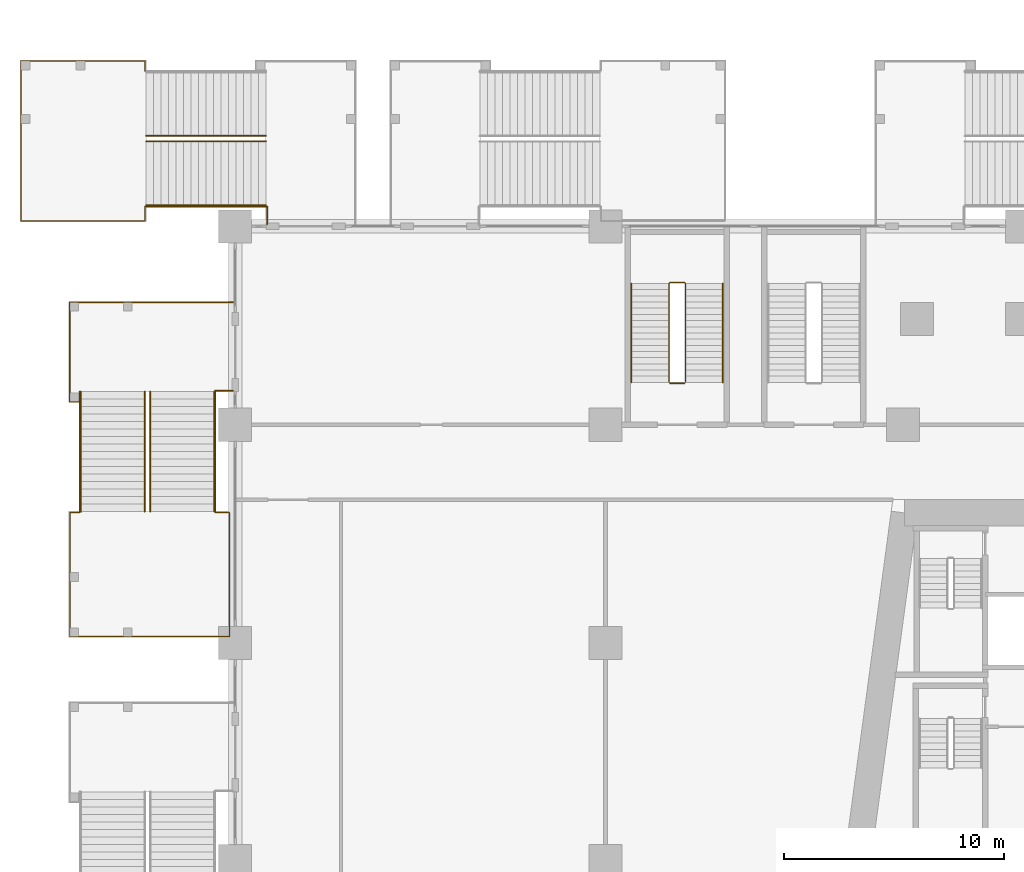
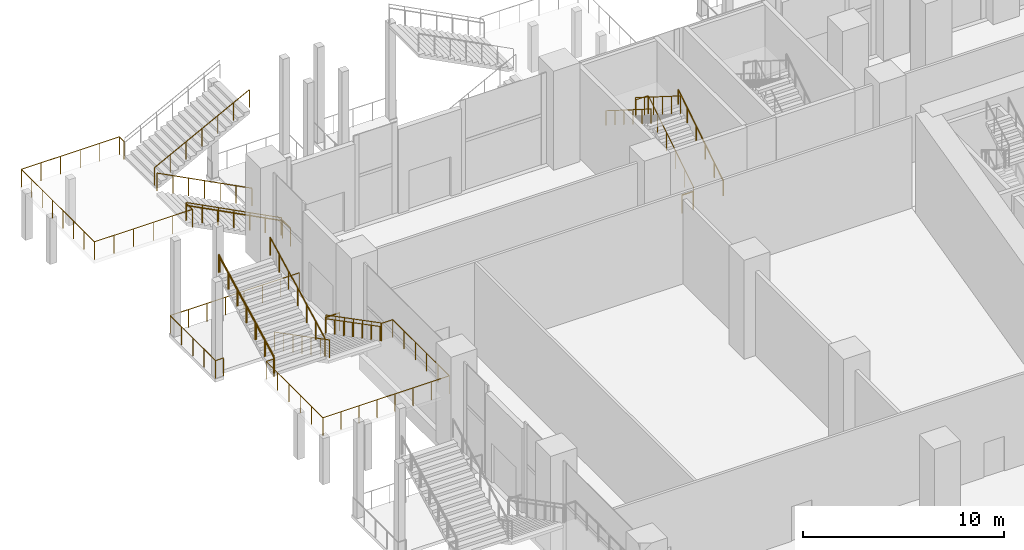
# One storey, part 39 of 47: 19 railings.
"""IFC4 building model written with IfcOpenShell, lengths in metres."""

from ifc_helpers import new_model, si_unit, direction, frame, origin, origin_2d, place, context, subcontext, project, spatial, circle, extrude, material, type_object, element, save


model = new_model("IFC4")

# Units and contexts
model_context = context("Model", 3, precision=1e-05, world=origin(), true_north=direction((0.0, 1.0)))
body_context = subcontext(model_context, "Body", "Model", "MODEL_VIEW")
ifc_project = project(units=[si_unit("LENGTHUNIT", "METRE"), si_unit("AREAUNIT", "SQUARE_METRE"), si_unit("VOLUMEUNIT", "CUBIC_METRE"), si_unit("PLANEANGLEUNIT", "RADIAN"), si_unit("MASSUNIT", "GRAM", prefix="KILO")], contexts=[model_context])

# Site, building, storey
site_placement = place(None, origin())
site = spatial("IfcSite", under=ifc_project, at=site_placement, CompositionType="ELEMENT")
building_placement = place(site_placement, origin())
building = spatial("IfcBuilding", under=site, at=building_placement, Name="Candeia Pilgrim Tower and Theatre", CompositionType="ELEMENT")
storey_placement = place(building_placement, frame((0.0, 0.0, 23.0)))
storey = spatial("IfcBuildingStorey", under=building, at=storey_placement, Name="L03", CompositionType="ELEMENT", Elevation=23.0)

# Railings
ifc_material_1 = material(Name="Stainless steel balustrade", Category="steel")
railing_type_1 = type_object("IfcRailingType", Name="RL-GUARD-1100", PredefinedType="GUARDRAIL", material=ifc_material_1)
railing_1_placement = place(storey_placement, frame((79.22509765625, 137.72509765625, 0.176513671875)))
element("IfcRailing", 1, at=railing_1_placement, inside=storey, type_object=railing_type_1, Name="L03 PS1 stair guard 1", PredefinedType="GUARDRAIL", context=body_context, shape_type="SweptSolid", body=[
    extrude(circle(Radius=0.02392578125, at=origin_2d()), frame((0.0, 0.0, 1.076171875), z_axis=(0.0, 0.845997938375, 0.533186166611), x_axis=(-1.0, 0.0, 0.0)), (0.0, 0.0, 1.0), 5.29541015625),
    extrude(circle(Radius=0.02392578125, at=origin_2d()), frame((0.0, 4.47998046875, 3.8994140625), z_axis=(-0.708833529934, 0.705375805398, 0.0), x_axis=(-0.705375805398, -0.708833529934, 0.0)), (0.0, 0.0, 1.0), 0.070556640625),
    extrude(circle(Radius=0.02392578125, at=origin_2d()), frame((-0.050048828125, 4.52978515625, 3.8994140625), z_axis=(-1.0, 0.0, 0.0), x_axis=(0.0, -1.0, 0.0)), (0.0, 0.0, 1.0), 0.650146484375),
    extrude(circle(Radius=0.02392578125, at=origin_2d()), frame((-0.7001953125, 4.52978515625, 3.8994140625), z_axis=(-0.262064280622, -0.262064280622, 0.928786641616), x_axis=(0.707106781187, -0.707106781187, 0.0)), (0.0, 0.0, 1.0), 0.18994140625),
    extrude(circle(Radius=0.02392578125, at=origin_2d()), frame((-0.75, 4.47998046875, 4.076171875), z_axis=(0.0, -0.845997938375, 0.533186166611), x_axis=(1.0, 0.0, 0.0)), (0.0, 0.0, 1.0), 5.29541015625),
    extrude(circle(Radius=0.02099609375, at=origin_2d()), origin(), (0.0, 0.0, 1.0), 1.052001953125),
    extrude(circle(Radius=0.02099609375, at=origin_2d()), frame((0.0, 0.89599609375, 0.564697265625)), (0.0, 0.0, 1.0), 1.052001953125),
    extrude(circle(Radius=0.02099609375, at=origin_2d()), frame((0.0, 1.7919921875, 1.12939453125)), (0.0, 0.0, 1.0), 1.052001953125),
    extrude(circle(Radius=0.02099609375, at=origin_2d()), frame((0.0, 2.68798828125, 1.694091796875)), (0.0, 0.0, 1.0), 1.052001953125),
    extrude(circle(Radius=0.02099609375, at=origin_2d()), frame((0.0, 3.583984375, 2.2587890625)), (0.0, 0.0, 1.0), 1.052001953125),
    extrude(circle(Radius=0.02099609375, at=origin_2d()), frame((0.0, 4.47998046875, 2.823486328125)), (0.0, 0.0, 1.0), 1.052001953125),
    extrude(circle(Radius=0.02099609375, at=origin_2d()), frame((-0.050048828125, 4.52978515625, 2.823486328125)), (0.0, 0.0, 1.0), 1.052001953125),
    extrude(circle(Radius=0.02099609375, at=origin_2d()), frame((-0.7001953125, 4.52978515625, 2.823486328125)), (0.0, 0.0, 1.0), 1.052001953125),
    extrude(circle(Radius=0.02099609375, at=origin_2d()), frame((-0.75, 4.47998046875, 3.0)), (0.0, 0.0, 1.0), 1.052001953125),
    extrude(circle(Radius=0.02099609375, at=origin_2d()), frame((-0.75, 3.583984375, 3.564697265625)), (0.0, 0.0, 1.0), 1.052001953125),
    extrude(circle(Radius=0.02099609375, at=origin_2d()), frame((-0.75, 2.68798828125, 4.12939453125)), (0.0, 0.0, 1.0), 1.052001953125),
    extrude(circle(Radius=0.02099609375, at=origin_2d()), frame((-0.75, 1.7919921875, 4.694091796875)), (0.0, 0.0, 1.0), 1.052001953125),
    extrude(circle(Radius=0.02099609375, at=origin_2d()), frame((-0.75, 0.89599609375, 5.2587890625)), (0.0, 0.0, 1.0), 1.052001953125),
    extrude(circle(Radius=0.02099609375, at=origin_2d()), frame((-0.75, 0.0, 5.823486328125)), (0.0, 0.0, 1.0), 1.052001953125),
])
railing_2_placement = place(storey_placement, frame((79.175048828125, 137.675048828125, 0.0)))
element("IfcRailing", 2, at=railing_2_placement, inside=storey, type_object=railing_type_1, Name="L03 PS1 stair guard 2", PredefinedType="GUARDRAIL", context=body_context, shape_type="SweptSolid", body=[
    extrude(circle(Radius=0.02392578125, at=origin_2d()), frame((0.0, 0.0, 1.076171875), z_axis=(-1.0, 0.0, 0.0), x_axis=(0.0, -1.0, 0.0)), (0.0, 0.0, 1.0), 0.650146484375),
    extrude(circle(Radius=0.02099609375, at=origin_2d()), origin(), (0.0, 0.0, 1.0), 1.052001953125),
    extrude(circle(Radius=0.02099609375, at=origin_2d()), frame((-0.650146484375, 0.0, 0.0)), (0.0, 0.0, 1.0), 1.052001953125),
])
railing_3_placement = place(storey_placement, frame((60.199951171875, 148.64990234375, 0.176513671875)))
element("IfcRailing", 3, at=railing_3_placement, inside=storey, type_object=railing_type_1, Name="L03 ES3 stair guard 1", PredefinedType="GUARDRAIL", context=body_context, shape_type="SweptSolid", body=[
    extrude(circle(Radius=0.02392578125, at=origin_2d()), frame((0.0, 0.0, 1.076171875), z_axis=(-0.887569374008, 0.0, 0.460674078198), x_axis=(0.0, -1.0, 0.0)), (0.0, 0.0, 1.0), 6.129150390625),
    extrude(circle(Radius=0.02099609375, at=origin_2d()), origin(), (0.0, 0.0, 1.0), 1.052001953125),
    extrude(circle(Radius=0.02099609375, at=origin_2d()), frame((-0.90673828125, 0.0, 0.470703125)), (0.0, 0.0, 1.0), 1.052001953125),
    extrude(circle(Radius=0.02099609375, at=origin_2d()), frame((-1.813232421875, 0.0, 0.941162109375)), (0.0, 0.0, 1.0), 1.052001953125),
    extrude(circle(Radius=0.02099609375, at=origin_2d()), frame((-2.719970703125, 0.0, 1.41162109375)), (0.0, 0.0, 1.0), 1.052001953125),
    extrude(circle(Radius=0.02099609375, at=origin_2d()), frame((-3.626708984375, 0.0, 1.88232421875)), (0.0, 0.0, 1.0), 1.052001953125),
    extrude(circle(Radius=0.02099609375, at=origin_2d()), frame((-4.533203125, 0.0, 2.35302734375)), (0.0, 0.0, 1.0), 1.052001953125),
    extrude(circle(Radius=0.02099609375, at=origin_2d()), frame((-5.43994140625, 0.0, 2.823486328125)), (0.0, 0.0, 1.0), 1.052001953125),
])
railing_4_placement = place(storey_placement, frame((54.760009765625, 148.89990234375, 3.176513671875)))
element("IfcRailing", 4, at=railing_4_placement, inside=storey, type_object=railing_type_1, Name="L03 ES3 stair guard 2", PredefinedType="GUARDRAIL", context=body_context, shape_type="SweptSolid", body=[
    extrude(circle(Radius=0.02392578125, at=origin_2d()), frame((0.0, 0.0, 1.076171875), z_axis=(0.887569374008, 0.0, 0.460674078198), x_axis=(0.0, 1.0, 0.0)), (0.0, 0.0, 1.0), 6.129150390625),
    extrude(circle(Radius=0.02099609375, at=origin_2d()), origin(), (0.0, 0.0, 1.0), 1.052001953125),
    extrude(circle(Radius=0.02099609375, at=origin_2d()), frame((0.90673828125, 0.0, 0.470703125)), (0.0, 0.0, 1.0), 1.052001953125),
    extrude(circle(Radius=0.02099609375, at=origin_2d()), frame((1.813232421875, 0.0, 0.941162109375)), (0.0, 0.0, 1.0), 1.052001953125),
    extrude(circle(Radius=0.02099609375, at=origin_2d()), frame((2.719970703125, 0.0, 1.41162109375)), (0.0, 0.0, 1.0), 1.052001953125),
    extrude(circle(Radius=0.02099609375, at=origin_2d()), frame((3.626708984375, 0.0, 1.88232421875)), (0.0, 0.0, 1.0), 1.052001953125),
    extrude(circle(Radius=0.02099609375, at=origin_2d()), frame((4.533203125, 0.0, 2.35302734375)), (0.0, 0.0, 1.0), 1.052001953125),
    extrude(circle(Radius=0.02099609375, at=origin_2d()), frame((5.43994140625, 0.0, 2.823486328125)), (0.0, 0.0, 1.0), 1.052001953125),
])
railing_5_placement = place(storey_placement, frame((60.199951171875, 145.699951171875, 0.176513671875)))
element("IfcRailing", 5, at=railing_5_placement, inside=storey, type_object=railing_type_1, Name="L03 ES3 stair guard 3", PredefinedType="GUARDRAIL", context=body_context, shape_type="SweptSolid", body=[
    extrude(circle(Radius=0.02392578125, at=origin_2d()), frame((0.0, 0.0, 1.076171875), z_axis=(-0.887569374008, 0.0, 0.460674078198), x_axis=(0.0, -1.0, 0.0)), (0.0, 0.0, 1.0), 6.129150390625),
    extrude(circle(Radius=0.02099609375, at=origin_2d()), origin(), (0.0, 0.0, 1.0), 1.052001953125),
    extrude(circle(Radius=0.02099609375, at=origin_2d()), frame((-0.90673828125, 0.0, 0.470703125)), (0.0, 0.0, 1.0), 1.052001953125),
    extrude(circle(Radius=0.02099609375, at=origin_2d()), frame((-1.813232421875, 0.0, 0.941162109375)), (0.0, 0.0, 1.0), 1.052001953125),
    extrude(circle(Radius=0.02099609375, at=origin_2d()), frame((-2.719970703125, 0.0, 1.41162109375)), (0.0, 0.0, 1.0), 1.052001953125),
    extrude(circle(Radius=0.02099609375, at=origin_2d()), frame((-3.626708984375, 0.0, 1.88232421875)), (0.0, 0.0, 1.0), 1.052001953125),
    extrude(circle(Radius=0.02099609375, at=origin_2d()), frame((-4.533203125, 0.0, 2.35302734375)), (0.0, 0.0, 1.0), 1.052001953125),
    extrude(circle(Radius=0.02099609375, at=origin_2d()), frame((-5.43994140625, 0.0, 2.823486328125)), (0.0, 0.0, 1.0), 1.052001953125),
])
railing_6_placement = place(storey_placement, frame((54.7099609375, 145.699951171875, 3.0)))
element("IfcRailing", 6, at=railing_6_placement, inside=storey, type_object=railing_type_1, Name="L03 ES3 stair guard 5", PredefinedType="GUARDRAIL", context=body_context, shape_type="SweptSolid", body=[
    extrude(circle(Radius=0.02392578125, at=origin_2d()), frame((0.0, 0.0, 1.076171875), z_axis=(0.0, -1.0, 0.0), x_axis=(1.0, 0.0, 0.0)), (0.0, 0.0, 1.0), 0.64990234375),
    extrude(circle(Radius=0.02392578125, at=origin_2d()), frame((0.0, -0.64990234375, 1.076171875), z_axis=(-1.0, 0.0, 0.0), x_axis=(0.0, -1.0, 0.0)), (0.0, 0.0, 1.0), 5.619873046875),
    extrude(circle(Radius=0.02392578125, at=origin_2d()), frame((-5.619873046875, -0.64990234375, 1.076171875), z_axis=(0.0, 1.0, 0.0), x_axis=(-1.0, 0.0, 0.0)), (0.0, 0.0, 1.0), 7.25),
    extrude(circle(Radius=0.02392578125, at=origin_2d()), frame((-5.619873046875, 6.60009765625, 1.076171875), z_axis=(1.0, 0.0, 0.0), x_axis=(0.0, 1.0, 0.0)), (0.0, 0.0, 1.0), 5.619873046875),
    extrude(circle(Radius=0.02392578125, at=origin_2d()), frame((0.0, 6.60009765625, 1.076171875), z_axis=(0.0, -1.0, 0.0), x_axis=(1.0, 0.0, 0.0)), (0.0, 0.0, 1.0), 0.449951171875),
    extrude(circle(Radius=0.02099609375, at=origin_2d()), origin(), (0.0, 0.0, 1.0), 1.052001953125),
    extrude(circle(Radius=0.02099609375, at=origin_2d()), frame((0.0, -0.64990234375, 0.0)), (0.0, 0.0, 1.0), 1.052001953125),
    extrude(circle(Radius=0.02099609375, at=origin_2d()), frame((-1.1240234375, -0.64990234375, 0.0)), (0.0, 0.0, 1.0), 1.052001953125),
    extrude(circle(Radius=0.02099609375, at=origin_2d()), frame((-2.248046875, -0.64990234375, 0.0)), (0.0, 0.0, 1.0), 1.052001953125),
    extrude(circle(Radius=0.02099609375, at=origin_2d()), frame((-3.371826171875, -0.64990234375, 0.0)), (0.0, 0.0, 1.0), 1.052001953125),
    extrude(circle(Radius=0.02099609375, at=origin_2d()), frame((-4.495849609375, -0.64990234375, 0.0)), (0.0, 0.0, 1.0), 1.052001953125),
    extrude(circle(Radius=0.02099609375, at=origin_2d()), frame((-5.619873046875, -0.64990234375, 0.0)), (0.0, 0.0, 1.0), 1.052001953125),
    extrude(circle(Radius=0.02099609375, at=origin_2d()), frame((-5.619873046875, 0.3857421875, 0.0)), (0.0, 0.0, 1.0), 1.052001953125),
    extrude(circle(Radius=0.02099609375, at=origin_2d()), frame((-5.619873046875, 1.421630859375, 0.0)), (0.0, 0.0, 1.0), 1.052001953125),
    extrude(circle(Radius=0.02099609375, at=origin_2d()), frame((-5.619873046875, 2.457275390625, 0.0)), (0.0, 0.0, 1.0), 1.052001953125),
    extrude(circle(Radius=0.02099609375, at=origin_2d()), frame((-5.619873046875, 3.492919921875, 0.0)), (0.0, 0.0, 1.0), 1.052001953125),
    extrude(circle(Radius=0.02099609375, at=origin_2d()), frame((-5.619873046875, 4.528564453125, 0.0)), (0.0, 0.0, 1.0), 1.052001953125),
    extrude(circle(Radius=0.02099609375, at=origin_2d()), frame((-5.619873046875, 5.564453125, 0.0)), (0.0, 0.0, 1.0), 1.052001953125),
    extrude(circle(Radius=0.02099609375, at=origin_2d()), frame((-5.619873046875, 6.60009765625, 0.0)), (0.0, 0.0, 1.0), 1.052001953125),
    extrude(circle(Radius=0.02099609375, at=origin_2d()), frame((-4.495849609375, 6.60009765625, 0.0)), (0.0, 0.0, 1.0), 1.052001953125),
    extrude(circle(Radius=0.02099609375, at=origin_2d()), frame((-3.371826171875, 6.60009765625, 0.0)), (0.0, 0.0, 1.0), 1.052001953125),
    extrude(circle(Radius=0.02099609375, at=origin_2d()), frame((-2.248046875, 6.60009765625, 0.0)), (0.0, 0.0, 1.0), 1.052001953125),
    extrude(circle(Radius=0.02099609375, at=origin_2d()), frame((-1.1240234375, 6.60009765625, 0.0)), (0.0, 0.0, 1.0), 1.052001953125),
    extrude(circle(Radius=0.02099609375, at=origin_2d()), frame((0.0, 6.60009765625, 0.0)), (0.0, 0.0, 1.0), 1.052001953125),
    extrude(circle(Radius=0.02099609375, at=origin_2d()), frame((0.0, 6.150146484375, 0.0)), (0.0, 0.0, 1.0), 1.052001953125),
])
railing_7_placement = place(storey_placement, frame((60.25, 144.89990234375, 0.0)))
element("IfcRailing", 7, at=railing_7_placement, inside=storey, type_object=railing_type_1, Name="L03 External escape stair ES3 bridge guard", PredefinedType="GUARDRAIL", context=body_context, shape_type="SweptSolid", body=[
    extrude(circle(Radius=0.02392578125, at=origin_2d()), frame((0.0, 0.0, 1.076171875), z_axis=(0.0, 1.0, 0.0), x_axis=(-1.0, 0.0, 0.0)), (0.0, 0.0, 1.0), 0.800048828125),
    extrude(circle(Radius=0.02099609375, at=origin_2d()), origin(), (0.0, 0.0, 1.0), 1.052001953125),
    extrude(circle(Radius=0.02099609375, at=origin_2d()), frame((0.0, 0.800048828125, 0.0)), (0.0, 0.0, 1.0), 1.052001953125),
])
railing_8_placement = place(storey_placement, frame((54.949951171875, 137.300048828125, 0.176513671875)))
element("IfcRailing", 8, at=railing_8_placement, inside=storey, type_object=railing_type_1, Name="L03 ES13 stair guard 1", PredefinedType="GUARDRAIL", context=body_context, shape_type="SweptSolid", body=[
    extrude(circle(Radius=0.02392578125, at=origin_2d()), frame((0.0, 0.0, 1.076171875), z_axis=(0.0, -0.887569374008, 0.460674078198), x_axis=(1.0, 0.0, 0.0)), (0.0, 0.0, 1.0), 6.129150390625),
    extrude(circle(Radius=0.02099609375, at=origin_2d()), origin(), (0.0, 0.0, 1.0), 1.052001953125),
    extrude(circle(Radius=0.02099609375, at=origin_2d()), frame((0.0, -0.90673828125, 0.470703125)), (0.0, 0.0, 1.0), 1.052001953125),
    extrude(circle(Radius=0.02099609375, at=origin_2d()), frame((0.0, -1.813232421875, 0.941162109375)), (0.0, 0.0, 1.0), 1.052001953125),
    extrude(circle(Radius=0.02099609375, at=origin_2d()), frame((0.0, -2.719970703125, 1.41162109375)), (0.0, 0.0, 1.0), 1.052001953125),
    extrude(circle(Radius=0.02099609375, at=origin_2d()), frame((0.0, -3.626708984375, 1.88232421875)), (0.0, 0.0, 1.0), 1.052001953125),
    extrude(circle(Radius=0.02099609375, at=origin_2d()), frame((0.0, -4.533203125, 2.35302734375)), (0.0, 0.0, 1.0), 1.052001953125),
    extrude(circle(Radius=0.02099609375, at=origin_2d()), frame((0.0, -5.43994140625, 2.823486328125)), (0.0, 0.0, 1.0), 1.052001953125),
])
railing_9_placement = place(storey_placement, frame((54.699951171875, 131.860107421875, 3.176513671875)))
element("IfcRailing", 9, at=railing_9_placement, inside=storey, type_object=railing_type_1, Name="L03 ES13 stair guard 2", PredefinedType="GUARDRAIL", context=body_context, shape_type="SweptSolid", body=[
    extrude(circle(Radius=0.02392578125, at=origin_2d()), frame((0.0, 0.0, 1.076171875), z_axis=(0.0, 0.887569374008, 0.460674078198), x_axis=(-1.0, 0.0, 0.0)), (0.0, 0.0, 1.0), 6.129150390625),
    extrude(circle(Radius=0.02099609375, at=origin_2d()), origin(), (0.0, 0.0, 1.0), 1.052001953125),
    extrude(circle(Radius=0.02099609375, at=origin_2d()), frame((0.0, 0.90673828125, 0.470703125)), (0.0, 0.0, 1.0), 1.052001953125),
    extrude(circle(Radius=0.02099609375, at=origin_2d()), frame((0.0, 1.813232421875, 0.941162109375)), (0.0, 0.0, 1.0), 1.052001953125),
    extrude(circle(Radius=0.02099609375, at=origin_2d()), frame((0.0, 2.719970703125, 1.41162109375)), (0.0, 0.0, 1.0), 1.052001953125),
    extrude(circle(Radius=0.02099609375, at=origin_2d()), frame((0.0, 3.626708984375, 1.88232421875)), (0.0, 0.0, 1.0), 1.052001953125),
    extrude(circle(Radius=0.02099609375, at=origin_2d()), frame((0.0, 4.533203125, 2.35302734375)), (0.0, 0.0, 1.0), 1.052001953125),
    extrude(circle(Radius=0.02099609375, at=origin_2d()), frame((0.0, 5.43994140625, 2.823486328125)), (0.0, 0.0, 1.0), 1.052001953125),
])
railing_10_placement = place(storey_placement, frame((57.89990234375, 137.300048828125, 0.176513671875)))
element("IfcRailing", 10, at=railing_10_placement, inside=storey, type_object=railing_type_1, Name="L03 ES13 stair guard 3", PredefinedType="GUARDRAIL", context=body_context, shape_type="SweptSolid", body=[
    extrude(circle(Radius=0.02392578125, at=origin_2d()), frame((0.0, 0.0, 1.076171875), z_axis=(0.0, -0.887569374008, 0.460674078198), x_axis=(1.0, 0.0, 0.0)), (0.0, 0.0, 1.0), 6.129150390625),
    extrude(circle(Radius=0.02099609375, at=origin_2d()), origin(), (0.0, 0.0, 1.0), 1.052001953125),
    extrude(circle(Radius=0.02099609375, at=origin_2d()), frame((0.0, -0.90673828125, 0.470703125)), (0.0, 0.0, 1.0), 1.052001953125),
    extrude(circle(Radius=0.02099609375, at=origin_2d()), frame((0.0, -1.813232421875, 0.941162109375)), (0.0, 0.0, 1.0), 1.052001953125),
    extrude(circle(Radius=0.02099609375, at=origin_2d()), frame((0.0, -2.719970703125, 1.41162109375)), (0.0, 0.0, 1.0), 1.052001953125),
    extrude(circle(Radius=0.02099609375, at=origin_2d()), frame((0.0, -3.626708984375, 1.88232421875)), (0.0, 0.0, 1.0), 1.052001953125),
    extrude(circle(Radius=0.02099609375, at=origin_2d()), frame((0.0, -4.533203125, 2.35302734375)), (0.0, 0.0, 1.0), 1.052001953125),
    extrude(circle(Radius=0.02099609375, at=origin_2d()), frame((0.0, -5.43994140625, 2.823486328125)), (0.0, 0.0, 1.0), 1.052001953125),
])
railing_11_placement = place(storey_placement, frame((51.75, 131.860107421875, 3.176513671875)))
element("IfcRailing", 11, at=railing_11_placement, inside=storey, type_object=railing_type_1, Name="L03 ES13 stair guard 4", PredefinedType="GUARDRAIL", context=body_context, shape_type="SweptSolid", body=[
    extrude(circle(Radius=0.02392578125, at=origin_2d()), frame((0.0, 0.0, 1.076171875), z_axis=(0.0, 0.887569374008, 0.460674078198), x_axis=(-1.0, 0.0, 0.0)), (0.0, 0.0, 1.0), 6.129150390625),
    extrude(circle(Radius=0.02099609375, at=origin_2d()), origin(), (0.0, 0.0, 1.0), 1.052001953125),
    extrude(circle(Radius=0.02099609375, at=origin_2d()), frame((0.0, 0.90673828125, 0.470703125)), (0.0, 0.0, 1.0), 1.052001953125),
    extrude(circle(Radius=0.02099609375, at=origin_2d()), frame((0.0, 1.813232421875, 0.941162109375)), (0.0, 0.0, 1.0), 1.052001953125),
    extrude(circle(Radius=0.02099609375, at=origin_2d()), frame((0.0, 2.719970703125, 1.41162109375)), (0.0, 0.0, 1.0), 1.052001953125),
    extrude(circle(Radius=0.02099609375, at=origin_2d()), frame((0.0, 3.626708984375, 1.88232421875)), (0.0, 0.0, 1.0), 1.052001953125),
    extrude(circle(Radius=0.02099609375, at=origin_2d()), frame((0.0, 4.533203125, 2.35302734375)), (0.0, 0.0, 1.0), 1.052001953125),
    extrude(circle(Radius=0.02099609375, at=origin_2d()), frame((0.0, 5.43994140625, 2.823486328125)), (0.0, 0.0, 1.0), 1.052001953125),
])
railing_12_placement = place(storey_placement, frame((57.89990234375, 131.81005859375, 3.0)))
element("IfcRailing", 12, at=railing_12_placement, inside=storey, type_object=railing_type_1, Name="L03 ES13 stair guard 5", PredefinedType="GUARDRAIL", context=body_context, shape_type="SweptSolid", body=[
    extrude(circle(Radius=0.02392578125, at=origin_2d()), frame((0.0, 0.0, 1.076171875), z_axis=(1.0, 0.0, 0.0), x_axis=(0.0, 1.0, 0.0)), (0.0, 0.0, 1.0), 0.650146484375),
    extrude(circle(Radius=0.02392578125, at=origin_2d()), frame((0.650146484375, 0.0, 1.076171875), z_axis=(0.0, -1.0, 0.0), x_axis=(1.0, 0.0, 0.0)), (0.0, 0.0, 1.0), 5.6201171875),
    extrude(circle(Radius=0.02392578125, at=origin_2d()), frame((0.650146484375, -5.6201171875, 1.076171875), z_axis=(-1.0, 0.0, 0.0), x_axis=(0.0, -1.0, 0.0)), (0.0, 0.0, 1.0), 7.25),
    extrude(circle(Radius=0.02392578125, at=origin_2d()), frame((-6.599853515625, -5.6201171875, 1.076171875), z_axis=(0.0, 1.0, 0.0), x_axis=(-1.0, 0.0, 0.0)), (0.0, 0.0, 1.0), 5.6201171875),
    extrude(circle(Radius=0.02392578125, at=origin_2d()), frame((-6.599853515625, 0.0, 1.076171875), z_axis=(1.0, 0.0, 0.0), x_axis=(0.0, 1.0, 0.0)), (0.0, 0.0, 1.0), 0.449951171875),
    extrude(circle(Radius=0.02099609375, at=origin_2d()), origin(), (0.0, 0.0, 1.0), 1.052001953125),
    extrude(circle(Radius=0.02099609375, at=origin_2d()), frame((0.650146484375, 0.0, 0.0)), (0.0, 0.0, 1.0), 1.052001953125),
    extrude(circle(Radius=0.02099609375, at=origin_2d()), frame((0.650146484375, -1.1240234375, 0.0)), (0.0, 0.0, 1.0), 1.052001953125),
    extrude(circle(Radius=0.02099609375, at=origin_2d()), frame((0.650146484375, -2.248046875, 0.0)), (0.0, 0.0, 1.0), 1.052001953125),
    extrude(circle(Radius=0.02099609375, at=origin_2d()), frame((0.650146484375, -3.3720703125, 0.0)), (0.0, 0.0, 1.0), 1.052001953125),
    extrude(circle(Radius=0.02099609375, at=origin_2d()), frame((0.650146484375, -4.49609375, 0.0)), (0.0, 0.0, 1.0), 1.052001953125),
    extrude(circle(Radius=0.02099609375, at=origin_2d()), frame((0.650146484375, -5.6201171875, 0.0)), (0.0, 0.0, 1.0), 1.052001953125),
    extrude(circle(Radius=0.02099609375, at=origin_2d()), frame((-0.385498046875, -5.6201171875, 0.0)), (0.0, 0.0, 1.0), 1.052001953125),
    extrude(circle(Radius=0.02099609375, at=origin_2d()), frame((-1.42138671875, -5.6201171875, 0.0)), (0.0, 0.0, 1.0), 1.052001953125),
    extrude(circle(Radius=0.02099609375, at=origin_2d()), frame((-2.45703125, -5.6201171875, 0.0)), (0.0, 0.0, 1.0), 1.052001953125),
    extrude(circle(Radius=0.02099609375, at=origin_2d()), frame((-3.49267578125, -5.6201171875, 0.0)), (0.0, 0.0, 1.0), 1.052001953125),
    extrude(circle(Radius=0.02099609375, at=origin_2d()), frame((-4.5283203125, -5.6201171875, 0.0)), (0.0, 0.0, 1.0), 1.052001953125),
    extrude(circle(Radius=0.02099609375, at=origin_2d()), frame((-5.564208984375, -5.6201171875, 0.0)), (0.0, 0.0, 1.0), 1.052001953125),
    extrude(circle(Radius=0.02099609375, at=origin_2d()), frame((-6.599853515625, -5.6201171875, 0.0)), (0.0, 0.0, 1.0), 1.052001953125),
    extrude(circle(Radius=0.02099609375, at=origin_2d()), frame((-6.599853515625, -4.49609375, 0.0)), (0.0, 0.0, 1.0), 1.052001953125),
    extrude(circle(Radius=0.02099609375, at=origin_2d()), frame((-6.599853515625, -3.3720703125, 0.0)), (0.0, 0.0, 1.0), 1.052001953125),
    extrude(circle(Radius=0.02099609375, at=origin_2d()), frame((-6.599853515625, -2.248046875, 0.0)), (0.0, 0.0, 1.0), 1.052001953125),
    extrude(circle(Radius=0.02099609375, at=origin_2d()), frame((-6.599853515625, -1.1240234375, 0.0)), (0.0, 0.0, 1.0), 1.052001953125),
    extrude(circle(Radius=0.02099609375, at=origin_2d()), frame((-6.599853515625, 0.0, 0.0)), (0.0, 0.0, 1.0), 1.052001953125),
    extrude(circle(Radius=0.02099609375, at=origin_2d()), frame((-6.14990234375, 0.0, 0.0)), (0.0, 0.0, 1.0), 1.052001953125),
])
railing_13_placement = place(storey_placement, frame((58.699951171875, 141.35009765625, 0.0)))
element("IfcRailing", 13, at=railing_13_placement, inside=storey, type_object=railing_type_1, Name="L03 External escape stair ES13 landing guard", PredefinedType="GUARDRAIL", context=body_context, shape_type="SweptSolid", body=[
    extrude(circle(Radius=0.02392578125, at=origin_2d()), frame((0.0, 0.0, 1.076171875), z_axis=(-1.0, 0.0, 0.0), x_axis=(0.0, -1.0, 0.0)), (0.0, 0.0, 1.0), 7.39990234375),
    extrude(circle(Radius=0.02392578125, at=origin_2d()), frame((-7.39990234375, 0.0, 1.076171875), z_axis=(0.0, -1.0, 0.0), x_axis=(1.0, 0.0, 0.0)), (0.0, 0.0, 1.0), 4.5),
    extrude(circle(Radius=0.02392578125, at=origin_2d()), frame((-7.39990234375, -4.5, 1.076171875), z_axis=(1.0, 0.0, 0.0), x_axis=(0.0, 1.0, 0.0)), (0.0, 0.0, 1.0), 0.449951171875),
    extrude(circle(Radius=0.02099609375, at=origin_2d()), origin(), (0.0, 0.0, 1.0), 1.052001953125),
    extrude(circle(Radius=0.02099609375, at=origin_2d()), frame((-1.05712890625, 0.0, 0.0)), (0.0, 0.0, 1.0), 1.052001953125),
    extrude(circle(Radius=0.02099609375, at=origin_2d()), frame((-2.1142578125, 0.0, 0.0)), (0.0, 0.0, 1.0), 1.052001953125),
    extrude(circle(Radius=0.02099609375, at=origin_2d()), frame((-3.17138671875, 0.0, 0.0)), (0.0, 0.0, 1.0), 1.052001953125),
    extrude(circle(Radius=0.02099609375, at=origin_2d()), frame((-4.228515625, 0.0, 0.0)), (0.0, 0.0, 1.0), 1.052001953125),
    extrude(circle(Radius=0.02099609375, at=origin_2d()), frame((-5.28564453125, 0.0, 0.0)), (0.0, 0.0, 1.0), 1.052001953125),
    extrude(circle(Radius=0.02099609375, at=origin_2d()), frame((-6.3427734375, 0.0, 0.0)), (0.0, 0.0, 1.0), 1.052001953125),
    extrude(circle(Radius=0.02099609375, at=origin_2d()), frame((-7.39990234375, 0.0, 0.0)), (0.0, 0.0, 1.0), 1.052001953125),
    extrude(circle(Radius=0.02099609375, at=origin_2d()), frame((-7.39990234375, -1.125, 0.0)), (0.0, 0.0, 1.0), 1.052001953125),
    extrude(circle(Radius=0.02099609375, at=origin_2d()), frame((-7.39990234375, -2.25, 0.0)), (0.0, 0.0, 1.0), 1.052001953125),
    extrude(circle(Radius=0.02099609375, at=origin_2d()), frame((-7.39990234375, -3.375, 0.0)), (0.0, 0.0, 1.0), 1.052001953125),
    extrude(circle(Radius=0.02099609375, at=origin_2d()), frame((-7.39990234375, -4.5, 0.0)), (0.0, 0.0, 1.0), 1.052001953125),
    extrude(circle(Radius=0.02099609375, at=origin_2d()), frame((-6.949951171875, -4.5, 0.0)), (0.0, 0.0, 1.0), 1.052001953125),
])
railing_14_placement = place(storey_placement, frame((58.699951171875, 137.35009765625, 0.0)))
element("IfcRailing", 14, at=railing_14_placement, inside=storey, type_object=railing_type_1, Name="L03 External escape stair ES13 bridge guard", PredefinedType="GUARDRAIL", context=body_context, shape_type="SweptSolid", body=[
    extrude(circle(Radius=0.02392578125, at=origin_2d()), frame((0.0, 0.0, 1.076171875), z_axis=(-1.0, 0.0, 0.0), x_axis=(0.0, -1.0, 0.0)), (0.0, 0.0, 1.0), 0.800048828125),
    extrude(circle(Radius=0.02099609375, at=origin_2d()), origin(), (0.0, 0.0, 1.0), 1.052001953125),
    extrude(circle(Radius=0.02099609375, at=origin_2d()), frame((-0.800048828125, 0.0, 0.0)), (0.0, 0.0, 1.0), 1.052001953125),
])
ifc_material_2 = material(Name="Stainless steel handrail", Category="steel")
railing_type_2 = type_object("IfcRailingType", Name="RL-HANDRAIL-900", PredefinedType="HANDRAIL", material=ifc_material_2)
railing_15_placement = place(storey_placement, frame((80.925048828125, 137.72509765625, 0.176513671875)))
element("IfcRailing", 15, at=railing_15_placement, inside=storey, type_object=railing_type_2, Name="L03 PS1 stair handrail 1", PredefinedType="HANDRAIL", context=body_context, shape_type="SweptSolid", body=[
    extrude(circle(Radius=0.02392578125, at=origin_2d()), frame((0.0, 0.0, 0.8759765625), z_axis=(0.0, 0.845997938375, 0.533186166611), x_axis=(-1.0, 0.0, 0.0)), (0.0, 0.0, 1.0), 5.29541015625),
    extrude(circle(Radius=0.02099609375, at=origin_2d()), origin(), (0.0, 0.0, 1.0), 0.851806640625),
    extrude(circle(Radius=0.02099609375, at=origin_2d()), frame((0.0, 0.89599609375, 0.564697265625)), (0.0, 0.0, 1.0), 0.851806640625),
    extrude(circle(Radius=0.02099609375, at=origin_2d()), frame((0.0, 1.7919921875, 1.12939453125)), (0.0, 0.0, 1.0), 0.851806640625),
    extrude(circle(Radius=0.02099609375, at=origin_2d()), frame((0.0, 2.68798828125, 1.694091796875)), (0.0, 0.0, 1.0), 0.851806640625),
    extrude(circle(Radius=0.02099609375, at=origin_2d()), frame((0.0, 3.583984375, 2.2587890625)), (0.0, 0.0, 1.0), 0.851806640625),
    extrude(circle(Radius=0.02099609375, at=origin_2d()), frame((0.0, 4.47998046875, 2.823486328125)), (0.0, 0.0, 1.0), 0.851806640625),
])
railing_16_placement = place(storey_placement, frame((76.77490234375, 142.205078125, 3.176513671875)))
element("IfcRailing", 16, at=railing_16_placement, inside=storey, type_object=railing_type_2, Name="L03 PS1 stair handrail 2", PredefinedType="HANDRAIL", context=body_context, shape_type="SweptSolid", body=[
    extrude(circle(Radius=0.02392578125, at=origin_2d()), frame((0.0, 0.0, 0.8759765625), z_axis=(0.0, -0.845997938375, 0.533186166611), x_axis=(1.0, 0.0, 0.0)), (0.0, 0.0, 1.0), 5.29541015625),
    extrude(circle(Radius=0.02099609375, at=origin_2d()), origin(), (0.0, 0.0, 1.0), 0.851806640625),
    extrude(circle(Radius=0.02099609375, at=origin_2d()), frame((0.0, -0.89599609375, 0.564697265625)), (0.0, 0.0, 1.0), 0.851806640625),
    extrude(circle(Radius=0.02099609375, at=origin_2d()), frame((0.0, -1.7919921875, 1.12939453125)), (0.0, 0.0, 1.0), 0.851806640625),
    extrude(circle(Radius=0.02099609375, at=origin_2d()), frame((0.0, -2.68798828125, 1.694091796875)), (0.0, 0.0, 1.0), 0.851806640625),
    extrude(circle(Radius=0.02099609375, at=origin_2d()), frame((0.0, -3.583984375, 2.2587890625)), (0.0, 0.0, 1.0), 0.851806640625),
    extrude(circle(Radius=0.02099609375, at=origin_2d()), frame((0.0, -4.47998046875, 2.823486328125)), (0.0, 0.0, 1.0), 0.851806640625),
])
railing_17_placement = place(storey_placement, frame((60.199951171875, 145.75, 0.176513671875)))
element("IfcRailing", 17, at=railing_17_placement, inside=storey, type_object=railing_type_2, Name="L03 ES3 stair handrail 1", PredefinedType="HANDRAIL", context=body_context, shape_type="SweptSolid", body=[
    extrude(circle(Radius=0.02392578125, at=origin_2d()), frame((0.0, 0.0, 0.8759765625), z_axis=(-0.887569374008, 0.0, 0.460674078198), x_axis=(0.0, -1.0, 0.0)), (0.0, 0.0, 1.0), 6.129150390625),
    extrude(circle(Radius=0.02099609375, at=origin_2d()), origin(), (0.0, 0.0, 1.0), 0.851806640625),
    extrude(circle(Radius=0.02099609375, at=origin_2d()), frame((-0.90673828125, 0.0, 0.470703125)), (0.0, 0.0, 1.0), 0.851806640625),
    extrude(circle(Radius=0.02099609375, at=origin_2d()), frame((-1.813232421875, 0.0, 0.941162109375)), (0.0, 0.0, 1.0), 0.851806640625),
    extrude(circle(Radius=0.02099609375, at=origin_2d()), frame((-2.719970703125, 0.0, 1.41162109375)), (0.0, 0.0, 1.0), 0.851806640625),
    extrude(circle(Radius=0.02099609375, at=origin_2d()), frame((-3.626708984375, 0.0, 1.88232421875)), (0.0, 0.0, 1.0), 0.851806640625),
    extrude(circle(Radius=0.02099609375, at=origin_2d()), frame((-4.533203125, 0.0, 2.35302734375)), (0.0, 0.0, 1.0), 0.851806640625),
    extrude(circle(Radius=0.02099609375, at=origin_2d()), frame((-5.43994140625, 0.0, 2.823486328125)), (0.0, 0.0, 1.0), 0.851806640625),
])
railing_18_placement = place(storey_placement, frame((57.85009765625, 137.300048828125, 0.176513671875)))
element("IfcRailing", 18, at=railing_18_placement, inside=storey, type_object=railing_type_2, Name="L03 ES13 stair handrail 1", PredefinedType="HANDRAIL", context=body_context, shape_type="SweptSolid", body=[
    extrude(circle(Radius=0.02392578125, at=origin_2d()), frame((0.0, 0.0, 0.8759765625), z_axis=(0.0, -0.887569374008, 0.460674078198), x_axis=(1.0, 0.0, 0.0)), (0.0, 0.0, 1.0), 6.129150390625),
    extrude(circle(Radius=0.02099609375, at=origin_2d()), origin(), (0.0, 0.0, 1.0), 0.851806640625),
    extrude(circle(Radius=0.02099609375, at=origin_2d()), frame((0.0, -0.90673828125, 0.470703125)), (0.0, 0.0, 1.0), 0.851806640625),
    extrude(circle(Radius=0.02099609375, at=origin_2d()), frame((0.0, -1.813232421875, 0.941162109375)), (0.0, 0.0, 1.0), 0.851806640625),
    extrude(circle(Radius=0.02099609375, at=origin_2d()), frame((0.0, -2.719970703125, 1.41162109375)), (0.0, 0.0, 1.0), 0.851806640625),
    extrude(circle(Radius=0.02099609375, at=origin_2d()), frame((0.0, -3.626708984375, 1.88232421875)), (0.0, 0.0, 1.0), 0.851806640625),
    extrude(circle(Radius=0.02099609375, at=origin_2d()), frame((0.0, -4.533203125, 2.35302734375)), (0.0, 0.0, 1.0), 0.851806640625),
    extrude(circle(Radius=0.02099609375, at=origin_2d()), frame((0.0, -5.43994140625, 2.823486328125)), (0.0, 0.0, 1.0), 0.851806640625),
])
railing_19_placement = place(storey_placement, frame((51.800048828125, 131.860107421875, 3.176513671875)))
element("IfcRailing", 19, at=railing_19_placement, inside=storey, type_object=railing_type_2, Name="L03 ES13 stair handrail 2", PredefinedType="HANDRAIL", context=body_context, shape_type="SweptSolid", body=[
    extrude(circle(Radius=0.02392578125, at=origin_2d()), frame((0.0, 0.0, 0.8759765625), z_axis=(0.0, 0.887569374008, 0.460674078198), x_axis=(-1.0, 0.0, 0.0)), (0.0, 0.0, 1.0), 6.129150390625),
    extrude(circle(Radius=0.02099609375, at=origin_2d()), origin(), (0.0, 0.0, 1.0), 0.851806640625),
    extrude(circle(Radius=0.02099609375, at=origin_2d()), frame((0.0, 0.90673828125, 0.470703125)), (0.0, 0.0, 1.0), 0.851806640625),
    extrude(circle(Radius=0.02099609375, at=origin_2d()), frame((0.0, 1.813232421875, 0.941162109375)), (0.0, 0.0, 1.0), 0.851806640625),
    extrude(circle(Radius=0.02099609375, at=origin_2d()), frame((0.0, 2.719970703125, 1.41162109375)), (0.0, 0.0, 1.0), 0.851806640625),
    extrude(circle(Radius=0.02099609375, at=origin_2d()), frame((0.0, 3.626708984375, 1.88232421875)), (0.0, 0.0, 1.0), 0.851806640625),
    extrude(circle(Radius=0.02099609375, at=origin_2d()), frame((0.0, 4.533203125, 2.35302734375)), (0.0, 0.0, 1.0), 0.851806640625),
    extrude(circle(Radius=0.02099609375, at=origin_2d()), frame((0.0, 5.43994140625, 2.823486328125)), (0.0, 0.0, 1.0), 0.851806640625),
])

save(model, "model.ifc")
